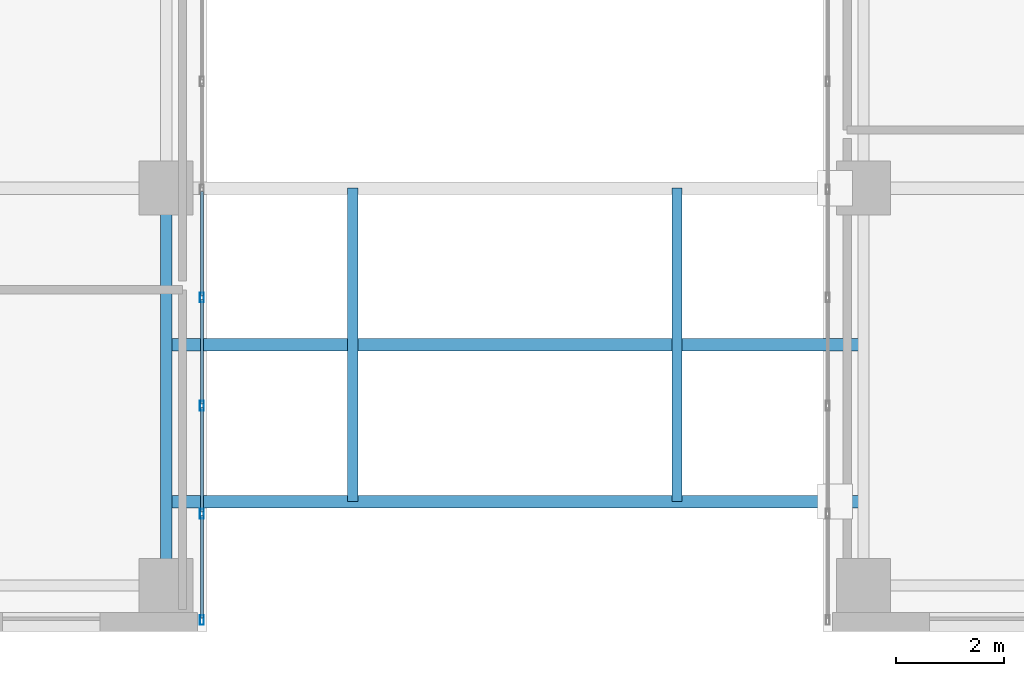
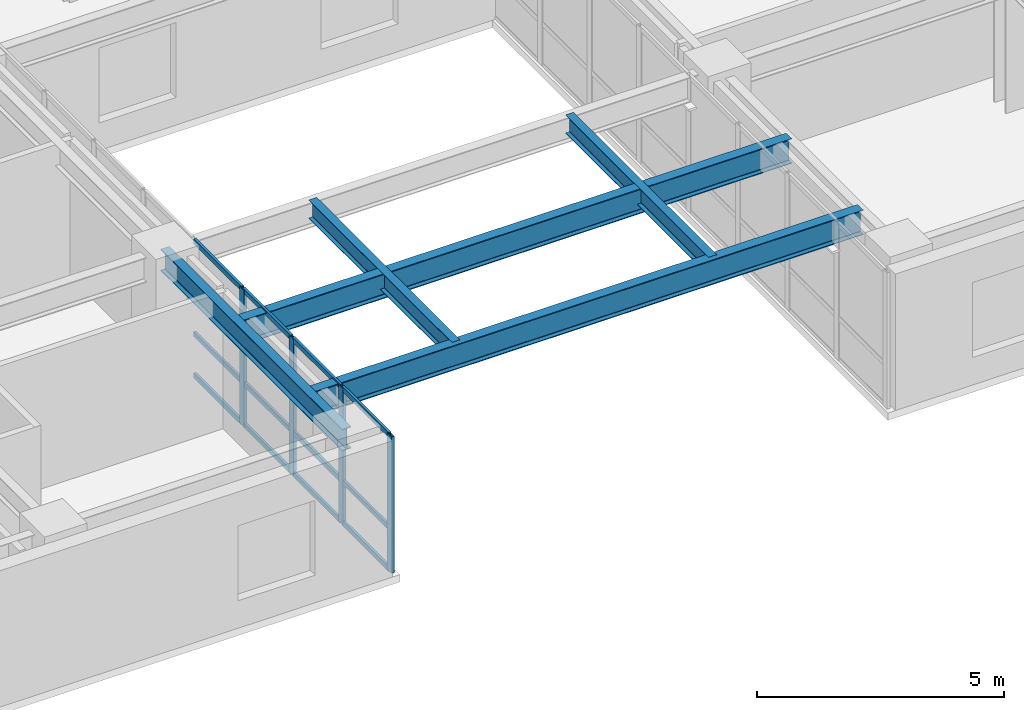
# One storey, part 2 of 16: 16 members, 5 beams, 1 element without a shape of its own.
"""IFC4 building model written with IfcOpenShell, lengths in metres."""

from ifc_helpers import new_model, si_unit, direction, frame, origin, origin_2d, place, context, subcontext, project, spatial, hollow_rectangle, i_section, extrude, source, transform, mapped, material, layer, layer_set, material_profile, profile_set, type_object, type_shapes, element, aggregate, save


model = new_model("IFC4")

# Units and contexts
model_context = context("Model", 3, precision=1e-05, world=origin(), true_north=direction((0.0, 1.0)))
body_context = subcontext(model_context, "Body", "Model", "MODEL_VIEW")
ifc_project = project(units=[si_unit("LENGTHUNIT", "METRE"), si_unit("AREAUNIT", "SQUARE_METRE"), si_unit("VOLUMEUNIT", "CUBIC_METRE"), si_unit("PLANEANGLEUNIT", "RADIAN"), si_unit("MASSUNIT", "GRAM", prefix="KILO")], contexts=[model_context])

# Site, building, storey
site_placement = place(None, origin())
site = spatial("IfcSite", under=ifc_project, at=site_placement, CompositionType="ELEMENT")
building_placement = place(site_placement, origin())
building = spatial("IfcBuilding", under=site, at=building_placement, Name="Tolvann Quenvar Hotel", CompositionType="ELEMENT")
storey_placement = place(building_placement, frame((0.0, 0.0, 71.050048828125)))
storey = spatial("IfcBuildingStorey", under=building, at=storey_placement, Name="L17", CompositionType="ELEMENT", Elevation=71.050048828125)

# Beams
ifc_material_1 = material(Name="Steel Grade 350", Category="steel")
ifc_material_profile_1 = material_profile(ifc_material_1, i_section(OverallWidth=0.22900390625, OverallDepth=0.612060546875, WebThickness=0.011962890625, FlangeThickness=0.01953125, FilletRadius=0.013916015625, at=origin_2d()), Name="610UB125")
ifc_profile_set_1 = profile_set([ifc_material_profile_1], Name="Steel Grade 350")
beam_type_1 = type_object("IfcBeamType", Name="BM_GIRD_610UB125", PredefinedType="BEAM", material=ifc_profile_set_1)
shared_shape_1 = source(origin(), body_context, "Body", "SweptSolid", [
    extrude(i_section(OverallWidth=0.22900390625, OverallDepth=0.612060546875, WebThickness=0.011962890625, FlangeThickness=0.01953125, FilletRadius=0.013916015625, at=origin_2d()), origin(), (0.0, 0.0, 1.0), 12.89990234375),
])
type_shapes(beam_type_1, [shared_shape_1])
for number, where, z_axis, x_axis, name in (
    (1, (22.050048828125, 2.39990234375, 3.06396484375), (1.0, 0.0, 0.0), (0.0, 1.0, 0.0), "Skybridge Longitudinal Support Girder (L18-S)"),
    (2, (22.050048828125, 5.300048828125, 3.06396484375), (1.0, 0.0, 0.0), (0.0, 1.0, 0.0), "Skybridge Central Support Girder (L18-M)"),
):
    element("IfcBeam", number, at=place(storey_placement, frame(where, z_axis=z_axis, x_axis=x_axis)), inside=storey, type_object=beam_type_1, Name=name, PredefinedType="BEAM", context=body_context, shape_type="MappedRepresentation", body=[
        mapped(shared_shape_1, transform((0.0, 0.0, 0.0), x_axis=(1.0, 0.0, 0.0), y_axis=(0.0, 1.0, 0.0), z_axis=(0.0, 0.0, 1.0), scale=1.0)),
    ])
ifc_material_profile_2 = material_profile(ifc_material_1, i_section(OverallWidth=0.208984375, OverallDepth=0.532958984375, WebThickness=0.01025390625, FlangeThickness=0.015625, FilletRadius=0.013916015625, at=origin_2d()), Name="530UB92")
ifc_profile_set_2 = profile_set([ifc_material_profile_2], Name="Steel Grade 350")
beam_type_2 = type_object("IfcBeamType", Name="BM_GIRD_530UB92", PredefinedType="BEAM", material=ifc_profile_set_2)
shared_shape_2 = source(origin(), body_context, "Body", "SweptSolid", [
    extrude(i_section(OverallWidth=0.208984375, OverallDepth=0.532958984375, WebThickness=0.01025390625, FlangeThickness=0.015625, FilletRadius=0.013916015625, at=origin_2d()), origin(), (0.0, 0.0, 1.0), 7.349853515625),
])
type_shapes(beam_type_2, [shared_shape_2])
beam_placement = place(storey_placement, frame((22.050048828125, 0.85009765625, 3.103515625), z_axis=(0.0, 1.0, 0.0), x_axis=(-1.0, 0.0, 0.0)))
element("IfcBeam", 3, at=beam_placement, inside=storey, type_object=beam_type_2, Name="BM-L17-NS-E2-E3", PredefinedType="BEAM", context=body_context, shape_type="MappedRepresentation", body=[
    mapped(shared_shape_2, transform((0.0, 0.0, 0.0), x_axis=(1.0, 0.0, 0.0), y_axis=(0.0, 1.0, 0.0), z_axis=(0.0, 0.0, 1.0), scale=1.0)),
])
ifc_material_profile_3 = material_profile(ifc_material_1, i_section(OverallWidth=0.18994140625, OverallDepth=0.4541015625, WebThickness=0.008544921875, FlangeThickness=0.0126953125, FilletRadius=0.011474609375, at=origin_2d()), Name="460UB67")
ifc_profile_set_3 = profile_set([ifc_material_profile_3], Name="Steel Grade 350")
beam_type_3 = type_object("IfcBeamType", Name="BM_JOIST_460UB67", PredefinedType="JOIST", material=ifc_profile_set_3)
shared_shape_3 = source(origin(), body_context, "Body", "SweptSolid", [
    extrude(i_section(OverallWidth=0.18994140625, OverallDepth=0.4541015625, WebThickness=0.008544921875, FlangeThickness=0.0126953125, FilletRadius=0.011474609375, at=origin_2d()), origin(), (0.0, 0.0, 1.0), 5.800048828125),
])
type_shapes(beam_type_3, [shared_shape_3])
for number, where, z_axis, x_axis, name in (
    (4, (25.5, 2.39990234375, 3.14306640625), (0.0, 1.0, 0.0), (-1.0, 0.0, 0.0), "Skybridge Transverse Diaphragm Beam W (L18)"),
    (5, (31.5, 2.39990234375, 3.14306640625), (0.0, 1.0, 0.0), (-1.0, 0.0, 0.0), "Skybridge Transverse Diaphragm Beam E (L18)"),
):
    element("IfcBeam", number, at=place(storey_placement, frame(where, z_axis=z_axis, x_axis=x_axis)), inside=storey, type_object=beam_type_3, Name=name, PredefinedType="JOIST", context=body_context, shape_type="MappedRepresentation", body=[
        mapped(shared_shape_3, transform((0.0, 0.0, 0.0), x_axis=(1.0, 0.0, 0.0), y_axis=(0.0, 1.0, 0.0), z_axis=(0.0, 0.0, 1.0), scale=1.0)),
    ])

# Curtain wall, members
ifc_material_2 = material(Name="Thermally broken anodised architectural aluminium 6063-T6 and laminated low-E glass", Category="aluminium")
ifc_layer = layer(ifc_material_2, 0.179931640625)
ifc_layer_set = layer_set([ifc_layer], Name="Thermally broken anodised architectural aluminium 6063-T6 and laminated low-E glass")
curtain_wall_type = type_object("IfcCurtainWallType", Name="CW_SYS_SLOT_03", PredefinedType="USERDEFINED", material=ifc_layer_set)
curtain_wall_placement = place(storey_placement, origin())
curtain_wall = element("IfcCurtainWall", 6, at=curtain_wall_placement, inside=storey, type_object=curtain_wall_type, Name="Curtain Wall CW-SLOT-03 (CWR-L17-E05)", ObjectType="UNITISED CURTAIN WALL", PredefinedType="USERDEFINED")
ifc_material_3 = material(Name="Anodised architectural aluminium 6063-T6 framing", Category="aluminium")
ifc_material_profile_4 = material_profile(ifc_material_3, hollow_rectangle(XDim=0.06005859375, YDim=0.1201171875, WallThickness=0.00341796875, at=origin_2d()), Name="120x60x3.5RHS")
ifc_profile_set_4 = profile_set([ifc_material_profile_4], Name="Anodised architectural aluminium 6063-T6 framing")
member_type_1 = type_object("IfcMemberType", Name="CW_TRAN_120x60", PredefinedType="USERDEFINED", material=ifc_profile_set_4)
shared_shape_4 = source(origin(), body_context, "Body", "SweptSolid", [
    extrude(hollow_rectangle(XDim=0.06005859375, YDim=0.1201171875, WallThickness=0.00341796875, at=origin_2d()), origin(), (0.0, 0.0, 1.0), 1.894775390625),
])
member_1_placement = place(storey_placement, frame((22.7099609375, 0.2451171875, 0.030029296875), z_axis=(0.0, 1.0, 0.0), x_axis=(-1.0, 0.0, 0.0)))
member_1 = element("IfcMember", 7, at=member_1_placement, type_object=member_type_1, Name="CW-SLOT-03 transom 1.1", ObjectType="TRANSOM", PredefinedType="USERDEFINED", context=body_context, shape_type="MappedRepresentation", body=[
    mapped(shared_shape_4, transform((0.0, 0.0, 0.0), x_axis=(1.0, 0.0, 0.0), y_axis=(0.0, 1.0, 0.0), z_axis=(0.0, 0.0, 1.0), scale=1.0)),
])
member_2_placement = place(storey_placement, frame((22.7099609375, 0.2451171875, 1.050048828125), z_axis=(0.0, 1.0, 0.0), x_axis=(-1.0, 0.0, 0.0)))
member_2 = element("IfcMember", 8, at=member_2_placement, type_object=member_type_1, Name="CW-SLOT-03 transom 1.2", ObjectType="TRANSOM", PredefinedType="USERDEFINED", context=body_context, shape_type="MappedRepresentation", body=[
    mapped(shared_shape_4, transform((0.0, 0.0, 0.0), x_axis=(1.0, 0.0, 0.0), y_axis=(0.0, 1.0, 0.0), z_axis=(0.0, 0.0, 1.0), scale=1.0)),
])
member_3_placement = place(storey_placement, frame((22.7099609375, 0.2451171875, 3.33984375), z_axis=(0.0, 1.0, 0.0), x_axis=(-1.0, 0.0, 0.0)))
member_3 = element("IfcMember", 9, at=member_3_placement, type_object=member_type_1, Name="CW-SLOT-03 transom 1.3", ObjectType="TRANSOM", PredefinedType="USERDEFINED", context=body_context, shape_type="MappedRepresentation", body=[
    mapped(shared_shape_4, transform((0.0, 0.0, 0.0), x_axis=(1.0, 0.0, 0.0), y_axis=(0.0, 1.0, 0.0), z_axis=(0.0, 0.0, 1.0), scale=1.0)),
])
shared_shape_5 = source(origin(), body_context, "Body", "SweptSolid", [
    extrude(hollow_rectangle(XDim=0.06005859375, YDim=0.1201171875, WallThickness=0.00341796875, at=origin_2d()), origin(), (0.0, 0.0, 1.0), 1.929931640625),
])
type_shapes(member_type_1, [shared_shape_4, shared_shape_5])
member_4_placement = place(storey_placement, frame((22.7099609375, 2.2099609375, 0.030029296875), z_axis=(0.0, 1.0, 0.0), x_axis=(-1.0, 0.0, 0.0)))
member_4 = element("IfcMember", 10, at=member_4_placement, type_object=member_type_1, Name="CW-SLOT-03 transom 2.1", ObjectType="TRANSOM", PredefinedType="USERDEFINED", context=body_context, shape_type="MappedRepresentation", body=[
    mapped(shared_shape_5, transform((0.0, 0.0, 0.0), x_axis=(1.0, 0.0, 0.0), y_axis=(0.0, 1.0, 0.0), z_axis=(0.0, 0.0, 1.0), scale=1.0)),
])
member_5_placement = place(storey_placement, frame((22.7099609375, 2.2099609375, 1.050048828125), z_axis=(0.0, 1.0, 0.0), x_axis=(-1.0, 0.0, 0.0)))
member_5 = element("IfcMember", 11, at=member_5_placement, type_object=member_type_1, Name="CW-SLOT-03 transom 2.2", ObjectType="TRANSOM", PredefinedType="USERDEFINED", context=body_context, shape_type="MappedRepresentation", body=[
    mapped(shared_shape_5, transform((0.0, 0.0, 0.0), x_axis=(1.0, 0.0, 0.0), y_axis=(0.0, 1.0, 0.0), z_axis=(0.0, 0.0, 1.0), scale=1.0)),
])
member_6_placement = place(storey_placement, frame((22.7099609375, 2.2099609375, 3.33984375), z_axis=(0.0, 1.0, 0.0), x_axis=(-1.0, 0.0, 0.0)))
member_6 = element("IfcMember", 12, at=member_6_placement, type_object=member_type_1, Name="CW-SLOT-03 transom 2.3", ObjectType="TRANSOM", PredefinedType="USERDEFINED", context=body_context, shape_type="MappedRepresentation", body=[
    mapped(shared_shape_5, transform((0.0, 0.0, 0.0), x_axis=(1.0, 0.0, 0.0), y_axis=(0.0, 1.0, 0.0), z_axis=(0.0, 0.0, 1.0), scale=1.0)),
])
member_7_placement = place(storey_placement, frame((22.7099609375, 4.2099609375, 0.030029296875), z_axis=(0.0, 1.0, 0.0), x_axis=(-1.0, 0.0, 0.0)))
member_7 = element("IfcMember", 13, at=member_7_placement, type_object=member_type_1, Name="CW-SLOT-03 transom 3.1", ObjectType="TRANSOM", PredefinedType="USERDEFINED", context=body_context, shape_type="MappedRepresentation", body=[
    mapped(shared_shape_5, transform((0.0, 0.0, 0.0), x_axis=(1.0, 0.0, 0.0), y_axis=(0.0, 1.0, 0.0), z_axis=(0.0, 0.0, 1.0), scale=1.0)),
])
member_8_placement = place(storey_placement, frame((22.7099609375, 4.2099609375, 1.050048828125), z_axis=(0.0, 1.0, 0.0), x_axis=(-1.0, 0.0, 0.0)))
member_8 = element("IfcMember", 14, at=member_8_placement, type_object=member_type_1, Name="CW-SLOT-03 transom 3.2", ObjectType="TRANSOM", PredefinedType="USERDEFINED", context=body_context, shape_type="MappedRepresentation", body=[
    mapped(shared_shape_5, transform((0.0, 0.0, 0.0), x_axis=(1.0, 0.0, 0.0), y_axis=(0.0, 1.0, 0.0), z_axis=(0.0, 0.0, 1.0), scale=1.0)),
])
member_9_placement = place(storey_placement, frame((22.7099609375, 4.2099609375, 3.33984375), z_axis=(0.0, 1.0, 0.0), x_axis=(-1.0, 0.0, 0.0)))
member_9 = element("IfcMember", 15, at=member_9_placement, type_object=member_type_1, Name="CW-SLOT-03 transom 3.3", ObjectType="TRANSOM", PredefinedType="USERDEFINED", context=body_context, shape_type="MappedRepresentation", body=[
    mapped(shared_shape_5, transform((0.0, 0.0, 0.0), x_axis=(1.0, 0.0, 0.0), y_axis=(0.0, 1.0, 0.0), z_axis=(0.0, 0.0, 1.0), scale=1.0)),
])
member_10_placement = place(storey_placement, frame((22.7099609375, 6.2099609375, 0.030029296875), z_axis=(0.0, 1.0, 0.0), x_axis=(-1.0, 0.0, 0.0)))
member_10 = element("IfcMember", 16, at=member_10_placement, type_object=member_type_1, Name="CW-SLOT-03 transom 4.1", ObjectType="TRANSOM", PredefinedType="USERDEFINED", context=body_context, shape_type="MappedRepresentation", body=[
    mapped(shared_shape_5, transform((0.0, 0.0, 0.0), x_axis=(1.0, 0.0, 0.0), y_axis=(0.0, 1.0, 0.0), z_axis=(0.0, 0.0, 1.0), scale=1.0)),
])
member_11_placement = place(storey_placement, frame((22.7099609375, 6.2099609375, 1.050048828125), z_axis=(0.0, 1.0, 0.0), x_axis=(-1.0, 0.0, 0.0)))
member_11 = element("IfcMember", 17, at=member_11_placement, type_object=member_type_1, Name="CW-SLOT-03 transom 4.2", ObjectType="TRANSOM", PredefinedType="USERDEFINED", context=body_context, shape_type="MappedRepresentation", body=[
    mapped(shared_shape_5, transform((0.0, 0.0, 0.0), x_axis=(1.0, 0.0, 0.0), y_axis=(0.0, 1.0, 0.0), z_axis=(0.0, 0.0, 1.0), scale=1.0)),
])
member_12_placement = place(storey_placement, frame((22.7099609375, 6.2099609375, 3.33984375), z_axis=(0.0, 1.0, 0.0), x_axis=(-1.0, 0.0, 0.0)))
member_12 = element("IfcMember", 18, at=member_12_placement, type_object=member_type_1, Name="CW-SLOT-03 transom 4.3", ObjectType="TRANSOM", PredefinedType="USERDEFINED", context=body_context, shape_type="MappedRepresentation", body=[
    mapped(shared_shape_5, transform((0.0, 0.0, 0.0), x_axis=(1.0, 0.0, 0.0), y_axis=(0.0, 1.0, 0.0), z_axis=(0.0, 0.0, 1.0), scale=1.0)),
])
ifc_material_profile_5 = material_profile(ifc_material_3, hollow_rectangle(XDim=0.070068359375, YDim=0.179931640625, WallThickness=0.00390625, at=origin_2d()), Name="180x70x4RHS")
ifc_profile_set_5 = profile_set([ifc_material_profile_5], Name="Anodised architectural aluminium 6063-T6 framing")
member_type_2 = type_object("IfcMemberType", Name="CW_MULL_180x70", PredefinedType="MULLION", material=ifc_profile_set_5)
shared_shape_6 = source(origin(), body_context, "Body", "SweptSolid", [
    extrude(hollow_rectangle(XDim=0.070068359375, YDim=0.179931640625, WallThickness=0.00390625, at=origin_2d()), origin(), (0.0, 0.0, 1.0), 3.369873046875),
])
type_shapes(member_type_2, [shared_shape_6])
member_13_placement = place(storey_placement, frame((22.7099609375, 0.2099609375, 0.0), z_axis=(0.0, 0.0, 1.0), x_axis=(-1.0, 0.0, 0.0)))
member_13 = element("IfcMember", 19, at=member_13_placement, type_object=member_type_2, Name="CW-SLOT-03 mullion 1", PredefinedType="MULLION", context=body_context, shape_type="MappedRepresentation", body=[
    mapped(shared_shape_6, transform((0.0, 0.0, 0.0), x_axis=(1.0, 0.0, 0.0), y_axis=(0.0, 1.0, 0.0), z_axis=(0.0, 0.0, 1.0), scale=1.0)),
])
member_14_placement = place(storey_placement, frame((22.7099609375, 2.175048828125, 0.0), z_axis=(0.0, 0.0, 1.0), x_axis=(-1.0, 0.0, 0.0)))
member_14 = element("IfcMember", 20, at=member_14_placement, type_object=member_type_2, Name="CW-SLOT-03 mullion 2", PredefinedType="MULLION", context=body_context, shape_type="MappedRepresentation", body=[
    mapped(shared_shape_6, transform((0.0, 0.0, 0.0), x_axis=(1.0, 0.0, 0.0), y_axis=(0.0, 1.0, 0.0), z_axis=(0.0, 0.0, 1.0), scale=1.0)),
])
member_15_placement = place(storey_placement, frame((22.7099609375, 4.175048828125, 0.0), z_axis=(0.0, 0.0, 1.0), x_axis=(-1.0, 0.0, 0.0)))
member_15 = element("IfcMember", 21, at=member_15_placement, type_object=member_type_2, Name="CW-SLOT-03 mullion 3", PredefinedType="MULLION", context=body_context, shape_type="MappedRepresentation", body=[
    mapped(shared_shape_6, transform((0.0, 0.0, 0.0), x_axis=(1.0, 0.0, 0.0), y_axis=(0.0, 1.0, 0.0), z_axis=(0.0, 0.0, 1.0), scale=1.0)),
])
member_16_placement = place(storey_placement, frame((22.7099609375, 6.175048828125, 0.0), z_axis=(0.0, 0.0, 1.0), x_axis=(-1.0, 0.0, 0.0)))
member_16 = element("IfcMember", 22, at=member_16_placement, type_object=member_type_2, Name="CW-SLOT-03 mullion 4", PredefinedType="MULLION", context=body_context, shape_type="MappedRepresentation", body=[
    mapped(shared_shape_6, transform((0.0, 0.0, 0.0), x_axis=(1.0, 0.0, 0.0), y_axis=(0.0, 1.0, 0.0), z_axis=(0.0, 0.0, 1.0), scale=1.0)),
])
aggregate(curtain_wall, [member_13, member_14, member_15, member_16, member_1, member_2, member_3, member_4, member_5, member_6, member_7, member_8, member_9, member_10, member_11, member_12])

save(model, "model.ifc")
